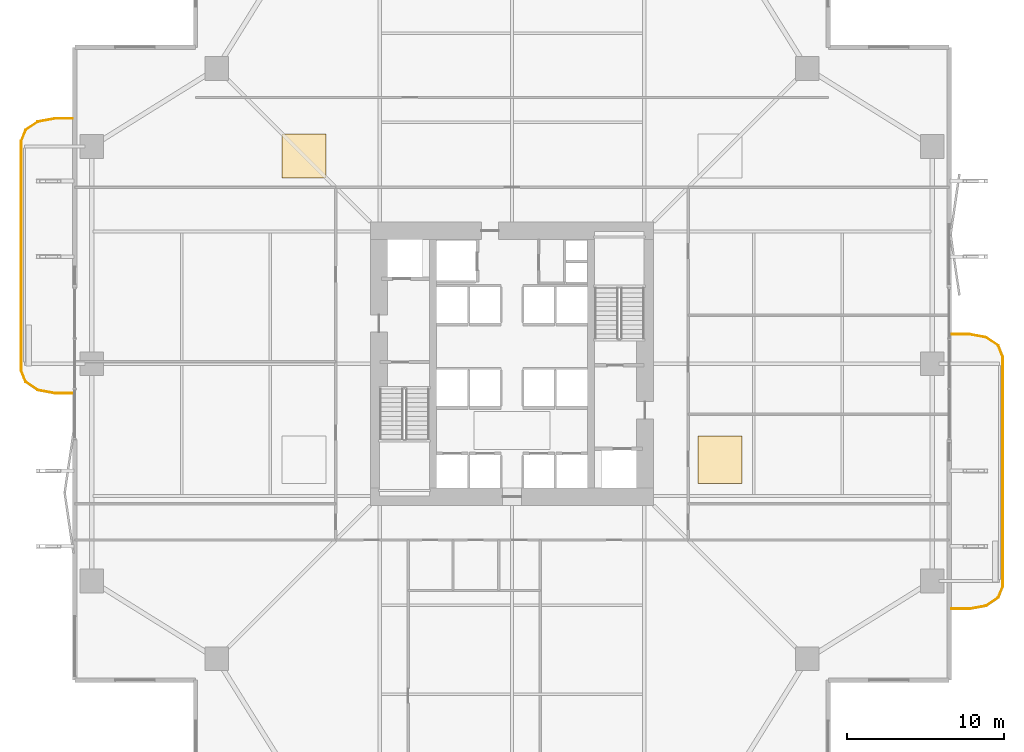
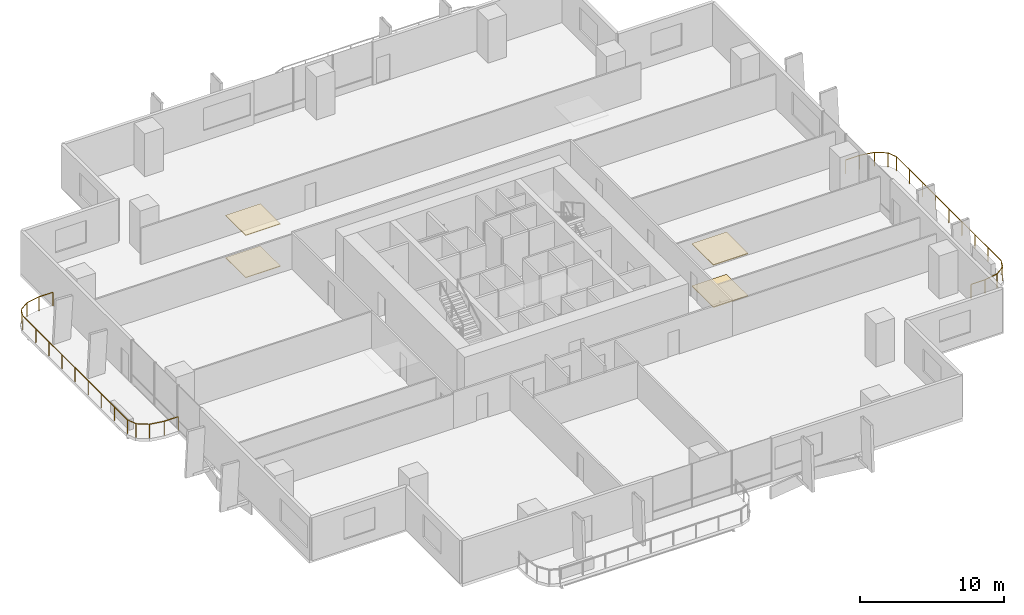
# One storey, part 22 of 23: 4 coverings, 2 railings.
"""IFC4 building model written with IfcOpenShell, lengths in metres."""

import ifcopenshell
import ifcopenshell.guid

model = None  # the IFC model being written
_history = None  # IfcOwnerHistory: only IFC2X3 demands one
_inside = {}  # id of a spatial element -> (the spatial element, [elements in it])
_under = {}  # id of a project, library or spatial element -> (it, [spatial elements below it])
_declared = {}  # id of a project -> (the project, [libraries it declares])
_typed = {}  # id of a type object -> (the type object, [elements of that type])
_made_of = {}  # id of a material, layer set ... -> (it, [elements and type objects made of it])


def new_model(schema):
    """Start an empty IFC model of exactly this schema.

    Asked for "IFC4X3", IfcOpenShell would pick the latest addendum, in which some entities
    have other attributes; the version numbers below select the first issue.
    IFC2X3 requires an IfcOwnerHistory on every rooted entity: one is made here for all.
    """
    global model, _history
    if schema == "IFC4X3":
        model = ifcopenshell.file(schema_version=(4, 3, 0, 0))
    else:
        model = ifcopenshell.file(schema=schema)
    _inside.clear()
    _under.clear()
    _declared.clear()
    _typed.clear()
    _made_of.clear()
    _history = None
    if model.schema == "IFC2X3":
        org = make("IfcOrganization", Name="unknown")
        user = make(
            "IfcPersonAndOrganization",
            ThePerson=make("IfcPerson", FamilyName="unknown"),
            TheOrganization=org,
        )
        app = make(
            "IfcApplication",
            ApplicationDeveloper=org,
            Version="unknown",
            ApplicationFullName="unknown",
            ApplicationIdentifier="unknown",
        )
        _history = make(
            "IfcOwnerHistory",
            OwningUser=user,
            OwningApplication=app,
            ChangeAction="ADDED",
            CreationDate=0,
        )
    return model


def make(cls, **values):
    """One entity of the class cls with the attributes given. An attribute that is None is left unset."""
    return model.create_entity(
        cls, **{name: value for name, value in values.items() if value is not None}
    )


def rooted(cls, **values):
    """An entity with a GlobalId (a new one), such as an element, a storey or a relation."""
    return make(cls, GlobalId=ifcopenshell.guid.new(), OwnerHistory=_history, **values)


def si_unit(unit_type, name, prefix=None):
    """IfcSIUnit, for example si_unit("LENGTHUNIT", "METRE", prefix="MILLI")."""
    return make("IfcSIUnit", UnitType=unit_type, Prefix=prefix, Name=name)


def assignment(units):
    """IfcUnitAssignment: the units of a project."""
    return None if units is None else make("IfcUnitAssignment", Units=units)


def point(xyz):
    """IfcCartesianPoint."""
    return None if xyz is None else make("IfcCartesianPoint", Coordinates=xyz)


def direction(xyz):
    """IfcDirection."""
    return None if xyz is None else make("IfcDirection", DirectionRatios=xyz)


def frame(location, z_axis=None, x_axis=None):
    """IfcAxis2Placement3D, a coordinate frame: its origin and axes. An axis left out is left unset."""
    return make(
        "IfcAxis2Placement3D",
        Location=point(location),
        Axis=direction(z_axis),
        RefDirection=direction(x_axis),
    )


def frame_2d(location, x_axis=None):
    """IfcAxis2Placement2D, a coordinate frame in the plane: its origin and x axis."""
    return make(
        "IfcAxis2Placement2D", Location=point(location), RefDirection=direction(x_axis)
    )


def origin():
    """The frame at (0, 0, 0) with its axes left unset."""
    return frame((0.0, 0.0, 0.0))


def origin_2d():
    """The frame at (0, 0) in the plane with its x axis left unset."""
    return frame_2d((0.0, 0.0))


def place(relative_to, where):
    """IfcLocalPlacement: puts the frame where relative to a parent placement (None: the world)."""
    return make(
        "IfcLocalPlacement", PlacementRelTo=relative_to, RelativePlacement=where
    )


def context(
    kind, dimensions, precision=None, world=None, true_north=None, identifier=None
):
    """IfcGeometricRepresentationContext, for example the 3D "Model" context."""
    return make(
        "IfcGeometricRepresentationContext",
        ContextIdentifier=identifier,
        ContextType=kind,
        CoordinateSpaceDimension=dimensions,
        Precision=precision,
        WorldCoordinateSystem=world,
        TrueNorth=true_north,
    )


def subcontext(parent, identifier, kind, view, scale=None):
    """IfcGeometricRepresentationSubContext, for example "Body" below "Model"."""
    return make(
        "IfcGeometricRepresentationSubContext",
        ContextIdentifier=identifier,
        ContextType=kind,
        ParentContext=parent,
        TargetScale=scale,
        TargetView=view,
    )


def project(units=None, contexts=None):
    """IfcProject with its units and contexts."""
    return rooted(
        "IfcProject",
        Name="project",
        RepresentationContexts=contexts,
        UnitsInContext=assignment(units),
    )


def spatial(cls, under=None, at=None, **own):
    """A site, building, storey or space (cls), placed at a placement, below another one or the project."""
    s = rooted(cls, ObjectPlacement=at, **own)
    if under is not None:
        _under.setdefault(under.id(), (under, []))[1].append(s)
    return s


def polyline(points):
    """IfcPolyline through the points."""
    return make("IfcPolyline", Points=[point(p) for p in points])


def profile(cls, at=None, kind="AREA", **sizes):
    """A parametric profile (cls). Its sizes go by their IFC names, for example OverallWidth=200.0."""
    return make(cls, ProfileType=kind, Position=at, **sizes)


def rectangle(**sizes):
    """IfcRectangleProfileDef."""
    return profile("IfcRectangleProfileDef", **sizes)


def outline(outer, holes=None, kind="AREA"):
    """IfcArbitraryClosedProfileDef: a profile drawn as a closed curve; with holes, ...WithVoids."""
    if holes is None:
        return make("IfcArbitraryClosedProfileDef", ProfileType=kind, OuterCurve=outer)
    return make(
        "IfcArbitraryProfileDefWithVoids",
        ProfileType=kind,
        OuterCurve=outer,
        InnerCurves=holes,
    )


def extrude(swept, where, along, depth):
    """IfcExtrudedAreaSolid: the profile swept, set in the frame where, extruded along a direction by depth."""
    return make(
        "IfcExtrudedAreaSolid",
        SweptArea=swept,
        Position=where,
        ExtrudedDirection=direction(along),
        Depth=depth,
    )


def shape(context_of_items, identifier, shape_type, items):
    """IfcShapeRepresentation: the items that make up one representation, for example the "Body"."""
    return make(
        "IfcShapeRepresentation",
        ContextOfItems=context_of_items,
        RepresentationIdentifier=identifier,
        RepresentationType=shape_type,
        Items=items,
    )


def material(Name=None, Category=None):
    """IfcMaterial."""
    return make("IfcMaterial", Name=Name, Category=Category)


def layer(
    of_material, thickness, ventilated=None, Name=None, Category=None, Priority=None
):
    """IfcMaterialLayer: one layer of a wall or slab, of a material (None: an air gap)."""
    return make(
        "IfcMaterialLayer",
        Material=of_material,
        LayerThickness=thickness,
        IsVentilated=ventilated,
        Name=Name,
        Category=Category,
        Priority=Priority,
    )


def layer_set(layers, Name=None):
    """IfcMaterialLayerSet."""
    return make("IfcMaterialLayerSet", MaterialLayers=layers, LayerSetName=Name)


def made_of(thing, what):
    """Note that an element or type object is made of a material, layer set ...; save() writes the relation."""
    if what is not None:
        _made_of.setdefault(what.id(), (what, []))[1].append(thing)
    return thing


def type_object(cls, material=None, **own):
    """A type object (cls), such as IfcWallType, which elements share."""
    return made_of(rooted(cls, **own), material)


def element(
    cls,
    number,
    at=None,
    inside=None,
    cuts=None,
    type_object=None,
    material=None,
    context=None,
    identifier="Body",
    shape_type=None,
    held_by="IfcProductDefinitionShape",
    body=None,
    shapes=None,
    **own,
):
    """One element of the class cls, such as IfcWall. Its Tag is "e" and its number.

    at: its placement. inside: the storey or other place that contains it. cuts: it is an
    opening in that element (IfcRelVoidsElement). A single representation is given by context,
    identifier, shape_type and body (its items); several are given by shapes. held_by: the class
    of the entity that holds the representations. save() writes the other relations.
    """
    e = rooted(cls, Tag="e%d" % number, ObjectPlacement=at, **own)
    if body is not None:
        shapes = [shape(context, identifier, shape_type, body)]
    if shapes is not None:
        e.Representation = make(held_by, Representations=shapes)
    if inside is not None:
        _inside.setdefault(inside.id(), (inside, []))[1].append(e)
    if cuts is not None:
        rooted(
            "IfcRelVoidsElement", RelatingBuildingElement=cuts, RelatedOpeningElement=e
        )
    if type_object is not None:
        _typed.setdefault(type_object.id(), (type_object, []))[1].append(e)
    return made_of(e, material)


def aggregate(whole, parts):
    """IfcRelAggregates: a whole, such as a stair, and the parts it consists of."""
    return rooted("IfcRelAggregates", RelatingObject=whole, RelatedObjects=parts)


def save(model, path):
    """Write the relations noted so far, then the file.

    IfcRelAggregates (storeys below a building ...), IfcRelContainedInSpatialStructure (elements
    in a storey), IfcRelDefinesByType, IfcRelAssociatesMaterial and IfcRelDeclares: one each for
    every whole, place, type object, material and project.
    """
    for whole, parts in _under.values():
        aggregate(whole, parts)
    for where, things in _inside.values():
        rooted(
            "IfcRelContainedInSpatialStructure",
            RelatedElements=things,
            RelatingStructure=where,
        )
    for kind, things in _typed.values():
        rooted("IfcRelDefinesByType", RelatedObjects=things, RelatingType=kind)
    for what, things in _made_of.values():
        rooted("IfcRelAssociatesMaterial", RelatedObjects=things, RelatingMaterial=what)
    for by, libraries in _declared.values():
        rooted("IfcRelDeclares", RelatingContext=by, RelatedDefinitions=libraries)
    model.write(path)


model = new_model("IFC4")

# Units and contexts
model_context = context("Model", 3, precision=1e-05, world=origin(), true_north=direction((0.0, 1.0)))
body_context = subcontext(model_context, "Body", "Model", "MODEL_VIEW")
ifc_project = project(units=[si_unit("LENGTHUNIT", "METRE"), si_unit("AREAUNIT", "SQUARE_METRE"), si_unit("VOLUMEUNIT", "CUBIC_METRE"), si_unit("PLANEANGLEUNIT", "RADIAN"), si_unit("MASSUNIT", "GRAM", prefix="KILO")], contexts=[model_context])

# Site, building, storey
site_placement = place(None, origin())
site = spatial("IfcSite", under=ifc_project, at=site_placement, CompositionType="ELEMENT")
building_placement = place(site_placement, origin())
building = spatial("IfcBuilding", under=site, at=building_placement, Name="Belovzor Exchange Tower", CompositionType="ELEMENT")
storey_placement = place(building_placement, frame((0.0, 0.0, 65.10009765625)))
storey = spatial("IfcBuildingStorey", under=building, at=storey_placement, Name="L15", CompositionType="ELEMENT", Elevation=65.10009765625)

# Railings
ifc_material_1 = material(Name="Stainless Steel and Laminated Safety Glass", Category="steel")
railing_type = type_object("IfcRailingType", Name="Laminated Glass & Stainless Steel Balcony Balustrade 1200", PredefinedType="BALUSTRADE", material=ifc_material_1)
railing_1_placement = place(storey_placement, frame((56.7099609375, 13.22998046875, 0.0)))
element("IfcRailing", 1, at=railing_1_placement, inside=storey, type_object=railing_type, Name="GR-1 Balcony Balustrade L15 East", PredefinedType="BALUSTRADE", context=body_context, shape_type="SweptSolid", body=[
    extrude(rectangle(XDim=0.048095703125, YDim=0.048095703125, at=origin_2d()), frame((0.0, 0.0, 1.17578125), z_axis=(1.0, 0.0, 0.0), x_axis=(0.0, 1.0, 0.0)), (0.0, 0.0, 1.0), 1.133056640625),
    extrude(rectangle(XDim=0.048095703125, YDim=0.048095703125, at=origin_2d()), frame((1.133056640625, 0.0, 1.17578125), z_axis=(0.983644145941, 0.180122719713, 0.0), x_axis=(-0.180122719713, 0.983644145941, 0.0)), (0.0, 0.0, 1.0), 1.09375),
    extrude(rectangle(XDim=0.048095703125, YDim=0.048095703125, at=origin_2d()), frame((2.208984375, 0.197021484375, 1.17578125), z_axis=(0.826614792125, 0.562768145367, 0.0), x_axis=(-0.562768145367, 0.826614792125, 0.0)), (0.0, 0.0, 1.0), 0.9326171875),
    extrude(rectangle(XDim=0.048095703125, YDim=0.048095703125, at=origin_2d()), frame((2.97998046875, 0.721923828125, 1.17578125), z_axis=(0.365504480807, 0.930809580156, 0.0), x_axis=(-0.930809580156, 0.365504480807, 0.0)), (0.0, 0.0, 1.0), 0.76611328125),
    extrude(rectangle(XDim=0.048095703125, YDim=0.048095703125, at=origin_2d()), frame((3.260009765625, 1.43505859375, 1.17578125), z_axis=(0.0, 1.0, 0.0), x_axis=(-1.0, 0.0, 0.0)), (0.0, 0.0, 1.0), 14.570068359375),
    extrude(rectangle(XDim=0.048095703125, YDim=0.048095703125, at=origin_2d()), frame((3.260009765625, 16.005126953125, 1.17578125), z_axis=(-0.365612923861, 0.930766990125, 0.0), x_axis=(-0.930766990125, -0.365612923861, 0.0)), (0.0, 0.0, 1.0), 0.765869140625),
    extrude(rectangle(XDim=0.048095703125, YDim=0.048095703125, at=origin_2d()), frame((2.97998046875, 16.718017578125, 1.17578125), z_axis=(-0.826614792125, 0.562768145367, 0.0), x_axis=(-0.562768145367, -0.826614792125, 0.0)), (0.0, 0.0, 1.0), 0.9326171875),
    extrude(rectangle(XDim=0.048095703125, YDim=0.048095703125, at=origin_2d()), frame((2.208984375, 17.242919921875, 1.17578125), z_axis=(-0.983644145941, 0.180122719713, 0.0), x_axis=(-0.180122719713, -0.983644145941, 0.0)), (0.0, 0.0, 1.0), 1.09375),
    extrude(rectangle(XDim=0.048095703125, YDim=0.048095703125, at=origin_2d()), frame((1.133056640625, 17.43994140625, 1.17578125), z_axis=(-1.0, 0.0, 0.0), x_axis=(0.0, -1.0, 0.0)), (0.0, 0.0, 1.0), 1.133056640625),
    extrude(rectangle(XDim=0.0419921875, YDim=0.0419921875, at=origin_2d()), origin(), (0.0, 0.0, 1.0), 1.15185546875),
    extrude(rectangle(XDim=0.0419921875, YDim=0.0419921875, at=origin_2d()), frame((1.133056640625, 0.0, 0.0)), (0.0, 0.0, 1.0), 1.15185546875),
    extrude(rectangle(XDim=0.0419921875, YDim=0.0419921875, at=origin_2d()), frame((2.208984375, 0.197021484375, 0.0)), (0.0, 0.0, 1.0), 1.15185546875),
    extrude(rectangle(XDim=0.0419921875, YDim=0.0419921875, at=origin_2d()), frame((2.97998046875, 0.721923828125, 0.0)), (0.0, 0.0, 1.0), 1.15185546875),
    extrude(rectangle(XDim=0.0419921875, YDim=0.0419921875, at=origin_2d()), frame((3.260009765625, 1.43505859375, 0.0)), (0.0, 0.0, 1.0), 1.15185546875),
    extrude(rectangle(XDim=0.0419921875, YDim=0.0419921875, at=origin_2d()), frame((3.260009765625, 3.25634765625, 0.0)), (0.0, 0.0, 1.0), 1.15185546875),
    extrude(rectangle(XDim=0.0419921875, YDim=0.0419921875, at=origin_2d()), frame((3.260009765625, 5.07763671875, 0.0)), (0.0, 0.0, 1.0), 1.15185546875),
    extrude(rectangle(XDim=0.0419921875, YDim=0.0419921875, at=origin_2d()), frame((3.260009765625, 6.89892578125, 0.0)), (0.0, 0.0, 1.0), 1.15185546875),
    extrude(rectangle(XDim=0.0419921875, YDim=0.0419921875, at=origin_2d()), frame((3.260009765625, 8.72021484375, 0.0)), (0.0, 0.0, 1.0), 1.15185546875),
    extrude(rectangle(XDim=0.0419921875, YDim=0.0419921875, at=origin_2d()), frame((3.260009765625, 10.541259765625, 0.0)), (0.0, 0.0, 1.0), 1.15185546875),
    extrude(rectangle(XDim=0.0419921875, YDim=0.0419921875, at=origin_2d()), frame((3.260009765625, 12.362548828125, 0.0)), (0.0, 0.0, 1.0), 1.15185546875),
    extrude(rectangle(XDim=0.0419921875, YDim=0.0419921875, at=origin_2d()), frame((3.260009765625, 14.183837890625, 0.0)), (0.0, 0.0, 1.0), 1.15185546875),
    extrude(rectangle(XDim=0.0419921875, YDim=0.0419921875, at=origin_2d()), frame((3.260009765625, 16.005126953125, 0.0)), (0.0, 0.0, 1.0), 1.15185546875),
    extrude(rectangle(XDim=0.0419921875, YDim=0.0419921875, at=origin_2d()), frame((2.97998046875, 16.718017578125, 0.0)), (0.0, 0.0, 1.0), 1.15185546875),
    extrude(rectangle(XDim=0.0419921875, YDim=0.0419921875, at=origin_2d()), frame((2.208984375, 17.242919921875, 0.0)), (0.0, 0.0, 1.0), 1.15185546875),
    extrude(rectangle(XDim=0.0419921875, YDim=0.0419921875, at=origin_2d()), frame((1.133056640625, 17.43994140625, 0.0)), (0.0, 0.0, 1.0), 1.15185546875),
    extrude(rectangle(XDim=0.0419921875, YDim=0.0419921875, at=origin_2d()), frame((0.0, 17.43994140625, 0.0)), (0.0, 0.0, 1.0), 1.15185546875),
])
railing_2_placement = place(storey_placement, frame((0.889892578125, 44.3701171875, 0.0)))
element("IfcRailing", 2, at=railing_2_placement, inside=storey, type_object=railing_type, Name="GR-1 Balcony Balustrade L15 West", PredefinedType="BALUSTRADE", context=body_context, shape_type="SweptSolid", body=[
    extrude(rectangle(XDim=0.048095703125, YDim=0.048095703125, at=origin_2d()), frame((0.0, 0.0, 1.17578125), z_axis=(-1.0, 0.0, 0.0), x_axis=(0.0, -1.0, 0.0)), (0.0, 0.0, 1.0), 1.1328125),
    extrude(rectangle(XDim=0.048095703125, YDim=0.048095703125, at=origin_2d()), frame((-1.1328125, 0.0, 1.17578125), z_axis=(-0.983651385113, -0.180083182347, 0.0), x_axis=(0.180083182347, -0.983651385113, 0.0)), (0.0, 0.0, 1.0), 1.093994140625),
    extrude(rectangle(XDim=0.048095703125, YDim=0.048095703125, at=origin_2d()), frame((-2.208984375, -0.197021484375, 1.17578125), z_axis=(-0.826493025367, -0.56294695933, 0.0), x_axis=(0.56294695933, -0.826493025367, 0.0)), (0.0, 0.0, 1.0), 0.932861328125),
    extrude(rectangle(XDim=0.048095703125, YDim=0.048095703125, at=origin_2d()), frame((-2.97998046875, -0.72216796875, 1.17578125), z_axis=(-0.365612923861, -0.930766990125, 0.0), x_axis=(0.930766990125, -0.365612923861, 0.0)), (0.0, 0.0, 1.0), 0.765869140625),
    extrude(rectangle(XDim=0.048095703125, YDim=0.048095703125, at=origin_2d()), frame((-3.260009765625, -1.43505859375, 1.17578125), z_axis=(0.0, -1.0, 0.0), x_axis=(1.0, 0.0, 0.0)), (0.0, 0.0, 1.0), 14.570068359375),
    extrude(rectangle(XDim=0.048095703125, YDim=0.048095703125, at=origin_2d()), frame((-3.260009765625, -16.005126953125, 1.17578125), z_axis=(0.365612923861, -0.930766990125, 0.0), x_axis=(0.930766990125, 0.365612923861, 0.0)), (0.0, 0.0, 1.0), 0.765869140625),
    extrude(rectangle(XDim=0.048095703125, YDim=0.048095703125, at=origin_2d()), frame((-2.97998046875, -16.718017578125, 1.17578125), z_axis=(0.826493025367, -0.56294695933, 0.0), x_axis=(0.56294695933, 0.826493025367, 0.0)), (0.0, 0.0, 1.0), 0.932861328125),
    extrude(rectangle(XDim=0.048095703125, YDim=0.048095703125, at=origin_2d()), frame((-2.208984375, -17.2431640625, 1.17578125), z_axis=(0.983651385113, -0.180083182347, 0.0), x_axis=(0.180083182347, 0.983651385113, 0.0)), (0.0, 0.0, 1.0), 1.093994140625),
    extrude(rectangle(XDim=0.048095703125, YDim=0.048095703125, at=origin_2d()), frame((-1.1328125, -17.440185546875, 1.17578125), z_axis=(1.0, 0.0, 0.0), x_axis=(0.0, 1.0, 0.0)), (0.0, 0.0, 1.0), 1.1328125),
    extrude(rectangle(XDim=0.0419921875, YDim=0.0419921875, at=origin_2d()), origin(), (0.0, 0.0, 1.0), 1.15185546875),
    extrude(rectangle(XDim=0.0419921875, YDim=0.0419921875, at=origin_2d()), frame((-1.1328125, 0.0, 0.0)), (0.0, 0.0, 1.0), 1.15185546875),
    extrude(rectangle(XDim=0.0419921875, YDim=0.0419921875, at=origin_2d()), frame((-2.208984375, -0.197021484375, 0.0)), (0.0, 0.0, 1.0), 1.15185546875),
    extrude(rectangle(XDim=0.0419921875, YDim=0.0419921875, at=origin_2d()), frame((-2.97998046875, -0.72216796875, 0.0)), (0.0, 0.0, 1.0), 1.15185546875),
    extrude(rectangle(XDim=0.0419921875, YDim=0.0419921875, at=origin_2d()), frame((-3.260009765625, -1.43505859375, 0.0)), (0.0, 0.0, 1.0), 1.15185546875),
    extrude(rectangle(XDim=0.0419921875, YDim=0.0419921875, at=origin_2d()), frame((-3.260009765625, -3.25634765625, 0.0)), (0.0, 0.0, 1.0), 1.15185546875),
    extrude(rectangle(XDim=0.0419921875, YDim=0.0419921875, at=origin_2d()), frame((-3.260009765625, -5.07763671875, 0.0)), (0.0, 0.0, 1.0), 1.15185546875),
    extrude(rectangle(XDim=0.0419921875, YDim=0.0419921875, at=origin_2d()), frame((-3.260009765625, -6.89892578125, 0.0)), (0.0, 0.0, 1.0), 1.15185546875),
    extrude(rectangle(XDim=0.0419921875, YDim=0.0419921875, at=origin_2d()), frame((-3.260009765625, -8.72021484375, 0.0)), (0.0, 0.0, 1.0), 1.15185546875),
    extrude(rectangle(XDim=0.0419921875, YDim=0.0419921875, at=origin_2d()), frame((-3.260009765625, -10.541259765625, 0.0)), (0.0, 0.0, 1.0), 1.15185546875),
    extrude(rectangle(XDim=0.0419921875, YDim=0.0419921875, at=origin_2d()), frame((-3.260009765625, -12.362548828125, 0.0)), (0.0, 0.0, 1.0), 1.15185546875),
    extrude(rectangle(XDim=0.0419921875, YDim=0.0419921875, at=origin_2d()), frame((-3.260009765625, -14.183837890625, 0.0)), (0.0, 0.0, 1.0), 1.15185546875),
    extrude(rectangle(XDim=0.0419921875, YDim=0.0419921875, at=origin_2d()), frame((-3.260009765625, -16.005126953125, 0.0)), (0.0, 0.0, 1.0), 1.15185546875),
    extrude(rectangle(XDim=0.0419921875, YDim=0.0419921875, at=origin_2d()), frame((-2.97998046875, -16.718017578125, 0.0)), (0.0, 0.0, 1.0), 1.15185546875),
    extrude(rectangle(XDim=0.0419921875, YDim=0.0419921875, at=origin_2d()), frame((-2.208984375, -17.2431640625, 0.0)), (0.0, 0.0, 1.0), 1.15185546875),
    extrude(rectangle(XDim=0.0419921875, YDim=0.0419921875, at=origin_2d()), frame((-1.1328125, -17.440185546875, 0.0)), (0.0, 0.0, 1.0), 1.15185546875),
    extrude(rectangle(XDim=0.0419921875, YDim=0.0419921875, at=origin_2d()), frame((0.0, -17.440185546875, 0.0)), (0.0, 0.0, 1.0), 1.15185546875),
])

# Coverings
ifc_material_2 = material(Name="Perforated Powder-Coated Aluminium", Category="aluminium")
ifc_layer_1 = layer(ifc_material_2, 0.06005859375)
ifc_layer_set_1 = layer_set([ifc_layer_1], Name="Perforated Powder-Coated Aluminium")
covering_type_1 = type_object("IfcCoveringType", Name="Perforated Acoustic Metal Tile Suspended Ceiling 60", PredefinedType="CEILING", material=ifc_layer_set_1)
covering_1_placement = place(storey_placement, frame((0.0, 0.0, 3.58984375)))
element("IfcCovering", 3, at=covering_1_placement, inside=storey, type_object=covering_type_1, Name="CLG-AC60 Suspended Ceiling CLG-L15-Z0", PredefinedType="CEILING", context=body_context, shape_type="SweptSolid", body=[
    extrude(outline(polyline([(40.60009765625, 21.199951171875), (43.39990234375, 21.199951171875), (43.39990234375, 24.199951171875), (40.60009765625, 24.199951171875), (40.60009765625, 21.199951171875)])), origin(), (0.0, 0.0, 1.0), 0.06005859375),
])
covering_2_placement = place(storey_placement, frame((0.0, 0.0, 3.58984375)))
element("IfcCovering", 4, at=covering_2_placement, inside=storey, type_object=covering_type_1, Name="CLG-AC60 Suspended Ceiling CLG-L15-Z2", PredefinedType="CEILING", context=body_context, shape_type="SweptSolid", body=[
    extrude(outline(polyline([(14.199951171875, 40.60009765625), (17.0, 40.60009765625), (17.0, 43.39990234375), (14.199951171875, 43.39990234375), (14.199951171875, 40.60009765625)])), origin(), (0.0, 0.0, 1.0), 0.06005859375),
])
ifc_material_3 = material(Name="Polished Natural Granite Tile", Category="masonry")
ifc_layer_2 = layer(ifc_material_3, 0.050048828125)
ifc_layer_set_2 = layer_set([ifc_layer_2], Name="Polished Natural Granite Tile")
covering_type_2 = type_object("IfcCoveringType", Name="Polished Karelian Granite & Raised Access Floor Finish 50", PredefinedType="FLOORING", material=ifc_layer_set_2)
covering_3_placement = place(storey_placement, origin())
element("IfcCovering", 5, at=covering_3_placement, inside=storey, type_object=covering_type_2, Name="FLR-GR50 Floor Finish FLR-L15-Z0", PredefinedType="FLOORING", context=body_context, shape_type="SweptSolid", body=[
    extrude(outline(polyline([(40.60009765625, 21.199951171875), (43.39990234375, 21.199951171875), (43.39990234375, 24.199951171875), (40.60009765625, 24.199951171875), (40.60009765625, 21.199951171875)])), origin(), (0.0, 0.0, 1.0), 0.0498046875),
])
covering_4_placement = place(storey_placement, origin())
element("IfcCovering", 6, at=covering_4_placement, inside=storey, type_object=covering_type_2, Name="FLR-GR50 Floor Finish FLR-L15-Z2", PredefinedType="FLOORING", context=body_context, shape_type="SweptSolid", body=[
    extrude(outline(polyline([(14.199951171875, 40.60009765625), (17.0, 40.60009765625), (17.0, 43.39990234375), (14.199951171875, 43.39990234375), (14.199951171875, 40.60009765625)])), origin(), (0.0, 0.0, 1.0), 0.0498046875),
])

save(model, "model.ifc")
